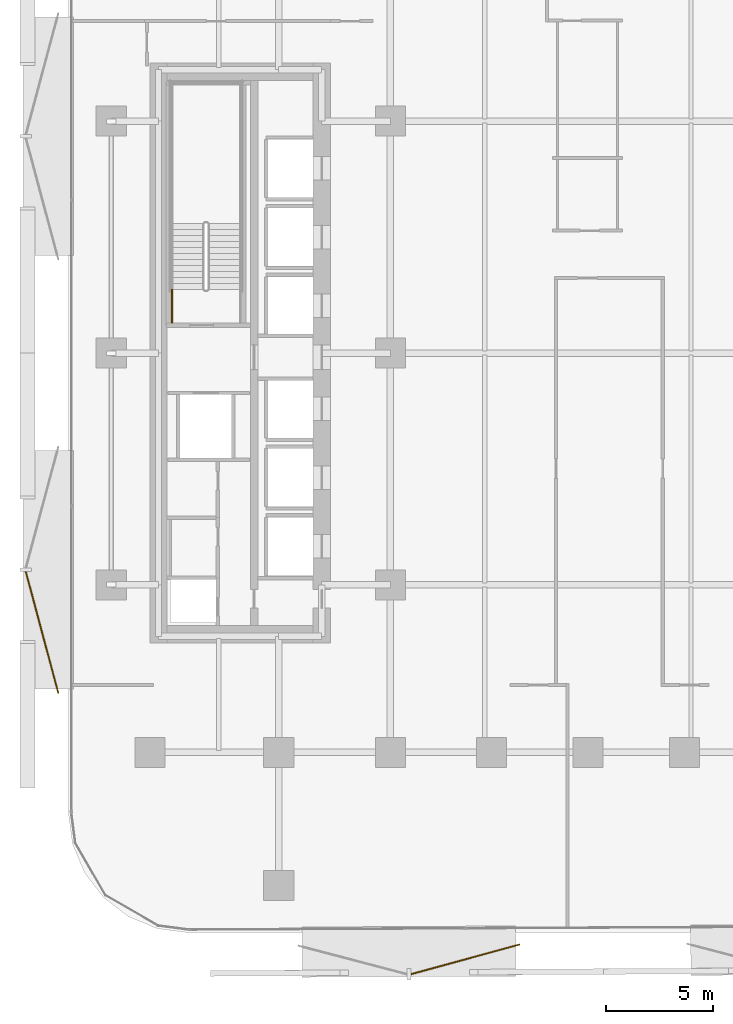
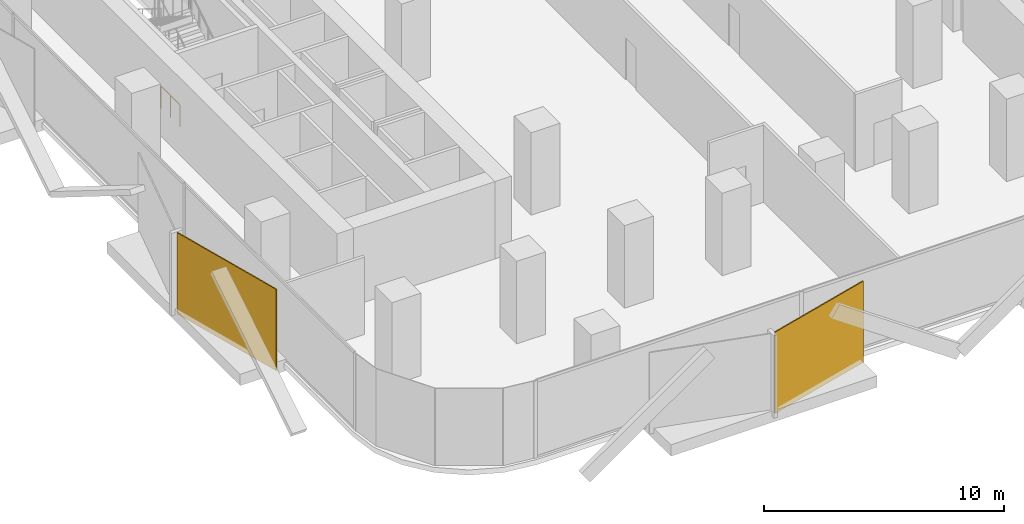
# One storey, part 10 of 14: 2 coverings, 1 railing.
"""IFC4 building model written with IfcOpenShell, lengths in metres."""

from ifc_helpers import new_model, si_unit, direction, frame, origin, origin_2d, place, context, subcontext, project, spatial, rectangle, circle, extrude, material, layer, layer_set, type_object, element, save


model = new_model("IFC4")

# Units and contexts
model_context = context("Model", 3, precision=1e-05, world=origin(), true_north=direction((0.0, 1.0)))
body_context = subcontext(model_context, "Body", "Model", "MODEL_VIEW")
ifc_project = project(units=[si_unit("LENGTHUNIT", "METRE"), si_unit("AREAUNIT", "SQUARE_METRE"), si_unit("VOLUMEUNIT", "CUBIC_METRE"), si_unit("PLANEANGLEUNIT", "RADIAN"), si_unit("MASSUNIT", "GRAM", prefix="KILO")], contexts=[model_context])

# Site, building, storey
site_placement = place(None, origin())
site = spatial("IfcSite", under=ifc_project, at=site_placement, CompositionType="ELEMENT")
building_placement = place(site_placement, origin())
building = spatial("IfcBuilding", under=site, at=building_placement, Name="Khairoan Windgate Tower", CompositionType="ELEMENT")
storey_placement = place(building_placement, frame((0.0, 0.0, 63.800048828125)))
storey = spatial("IfcBuildingStorey", under=building, at=storey_placement, Name="L15", CompositionType="ELEMENT", Elevation=63.800048828125)

# Coverings
ifc_material_1 = material(Name="Anodised Bronze Aluminium 6063-T6", Category="aluminium")
ifc_layer = layer(ifc_material_1, 0.054931640625, Name="Anodised Bronze Aluminium 6063-T6")
ifc_layer_set = layer_set([ifc_layer], Name="Anodised Bronze Aluminium 6063-T6")
covering_type = type_object("IfcCoveringType", Name="Perforated Bronze-Ceramic Folded Solar Screen Cladding BSC-1", PredefinedType="CLADDING", material=ifc_layer_set)
covering_1_placement = place(storey_placement, frame((-5.70751953125, -28.238037109375, -0.10009765625), z_axis=(0.0, 0.0, 1.0), x_axis=(-0.964649468762, -0.263536339841, 0.0)))
element("IfcCovering", 1, at=covering_1_placement, inside=storey, type_object=covering_type, Name="L15 Folded Bronze Solar Screen Facet 74L", PredefinedType="CLADDING", context=body_context, shape_type="SweptSolid", body=[
    extrude(rectangle(XDim=5.25, YDim=0.054931640625, at=origin_2d()), origin(), (0.0, 0.0, 1.0), 4.139892578125),
])
covering_2_placement = place(storey_placement, frame((-25.42236328125, -13.01318359375, -0.10009765625), z_axis=(0.0, 0.0, 1.0), x_axis=(-0.258819045103, 0.965925826289, 0.0)))
element("IfcCovering", 2, at=covering_2_placement, inside=storey, type_object=covering_type, Name="L15 Folded Bronze Solar Screen Facet 75L", PredefinedType="CLADDING", context=body_context, shape_type="SweptSolid", body=[
    extrude(rectangle(XDim=5.85498046875, YDim=0.054931640625, at=origin_2d()), origin(), (0.0, 0.0, 1.0), 4.139892578125),
])

# Railing
ifc_material_2 = material(Name="Steel S355", Category="steel")
railing_type = type_object("IfcRailingType", Name="Stairwell Safety Guardrail SGR-1150", PredefinedType="GUARDRAIL", material=ifc_material_2)
railing_placement = place(storey_placement, frame((-19.3701171875, 1.39990234375, 0.0)))
element("IfcRailing", 3, at=railing_placement, inside=storey, type_object=railing_type, Name="L15 ST2 stair guard 9", PredefinedType="GUARDRAIL", context=body_context, shape_type="SweptSolid", body=[
    extrude(circle(Radius=0.02392578125, at=origin_2d()), frame((0.0, 0.0, 1.1259765625), z_axis=(0.0, 1.0, 0.0), x_axis=(-1.0, 0.0, 0.0)), (0.0, 0.0, 1.0), 1.56005859375),
    extrude(circle(Radius=0.02099609375, at=origin_2d()), origin(), (0.0, 0.0, 1.0), 1.101806640625),
    extrude(circle(Radius=0.02099609375, at=origin_2d()), frame((0.0, 0.780029296875, 0.0)), (0.0, 0.0, 1.0), 1.101806640625),
    extrude(circle(Radius=0.02099609375, at=origin_2d()), frame((0.0, 1.56005859375, 0.0)), (0.0, 0.0, 1.0), 1.101806640625),
])

save(model, "model.ifc")
